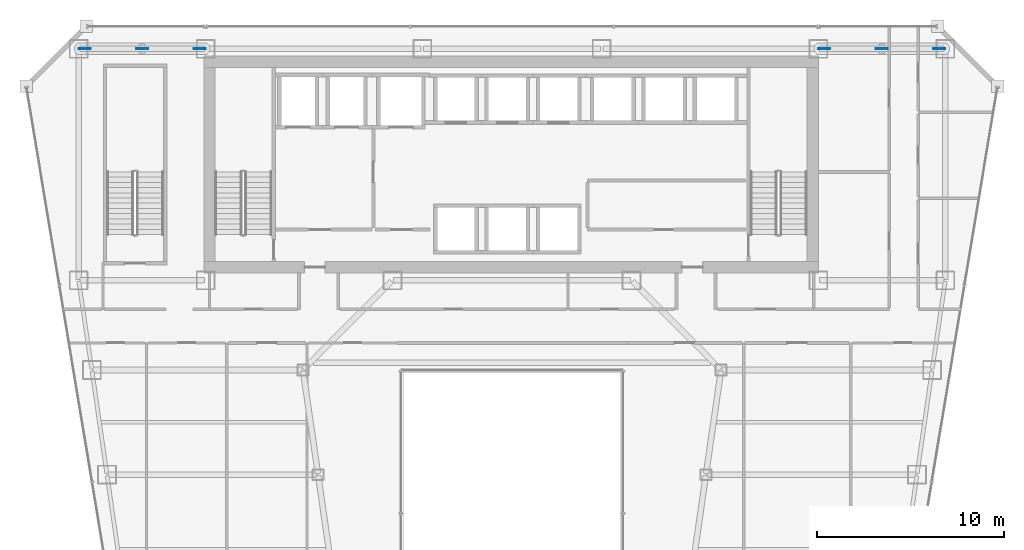
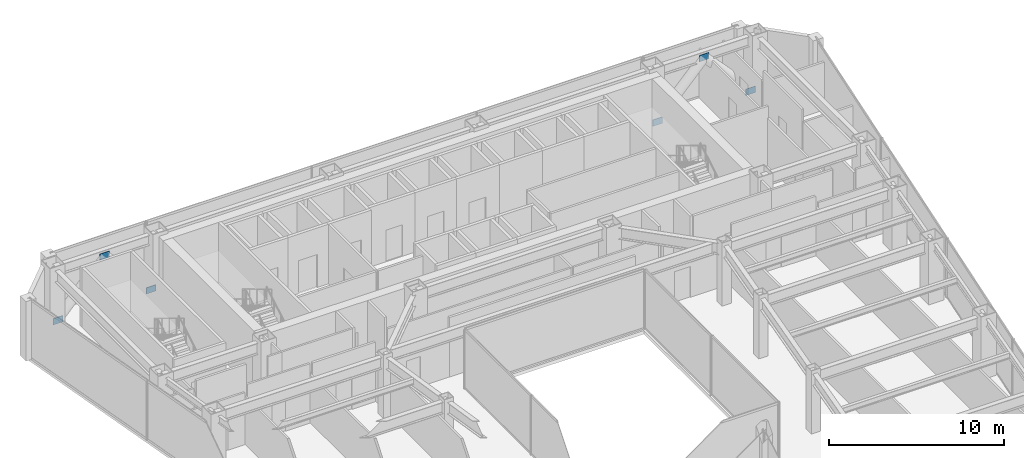
# One storey, part 31 of 37: 6 plates.
"""IFC4 building model written with IfcOpenShell, lengths in metres."""

from ifc_helpers import new_model, si_unit, direction, frame, origin, origin_2d, place, context, subcontext, project, spatial, rectangle, extrude, material, layer, layer_set, type_object, element, save


model = new_model("IFC4")

# Units and contexts
model_context = context("Model", 3, precision=1e-05, world=origin(), true_north=direction((0.0, 1.0)))
body_context = subcontext(model_context, "Body", "Model", "MODEL_VIEW")
ifc_project = project(units=[si_unit("LENGTHUNIT", "METRE"), si_unit("AREAUNIT", "SQUARE_METRE"), si_unit("VOLUMEUNIT", "CUBIC_METRE"), si_unit("PLANEANGLEUNIT", "RADIAN"), si_unit("MASSUNIT", "GRAM", prefix="KILO")], contexts=[model_context])

# Site, building, storey
site_placement = place(None, origin())
site = spatial("IfcSite", under=ifc_project, at=site_placement, CompositionType="ELEMENT")
building_placement = place(site_placement, origin())
building = spatial("IfcBuilding", under=site, at=building_placement, Name="Saevonmaru Cultural Tower", CompositionType="ELEMENT")
storey_placement = place(building_placement, frame((0.0, 0.0, 114.800048828125)))
storey = spatial("IfcBuildingStorey", under=building, at=storey_placement, Name="L24", CompositionType="ELEMENT", Elevation=114.800048828125)

# Plates
ifc_material = material(Name="Steel HSA600 (600 MPa)", Category="steel")
ifc_layer = layer(ifc_material, 0.0400390625, Name="Steel HSA600 (600 MPa)")
ifc_layer_set = layer_set([ifc_layer], Name="Steel HSA600 (600 MPa)")
plate_type = type_object("IfcPlateType", Name="PL-GUSSET-EXT", PredefinedType="USERDEFINED", material=ifc_layer_set)
for number, where, z_axis, x_axis, name in (
    (1, (10.199951171875, 54.800048828125, 3.449951171875), (0.0, 0.0, 1.0), (1.0, 0.0, 0.0), "L24 Perimeter Tube Gusset Plate"),
    (2, (7.1201171875, 54.800048828125, 0.02001953125), (0.0, 0.0, 1.0), (1.0, 0.0, 0.0), "L24 Perimeter Tube Gusset Plate"),
    (3, (13.280029296875, 54.800048828125, 0.02001953125), (0.0, 0.0, 1.0), (1.0, 0.0, 0.0), "L24 Perimeter Tube Gusset Plate"),
    (4, (49.800048828125, 54.800048828125, 3.449951171875), (0.0, 0.0, 1.0), (1.0, 0.0, 0.0), "L24 Perimeter Tube Gusset Plate"),
    (5, (46.719970703125, 54.800048828125, 0.02001953125), (0.0, 0.0, 1.0), (1.0, 0.0, 0.0), "L24 Perimeter Tube Gusset Plate"),
    (6, (52.8798828125, 54.800048828125, 0.02001953125), (0.0, 0.0, 1.0), (1.0, 0.0, 0.0), "L24 Perimeter Tube Gusset Plate"),
):
    element("IfcPlate", number, at=place(storey_placement, frame(where, z_axis=z_axis, x_axis=x_axis)), inside=storey, type_object=plate_type, Name=name, ObjectType="GUSSET_PLATE", PredefinedType="USERDEFINED", context=body_context, shape_type="SweptSolid", body=[
        extrude(rectangle(XDim=0.639892578125, YDim=0.0400390625, at=origin_2d()), origin(), (0.0, 0.0, 1.0), 0.43994140625),
    ])

save(model, "model.ifc")
